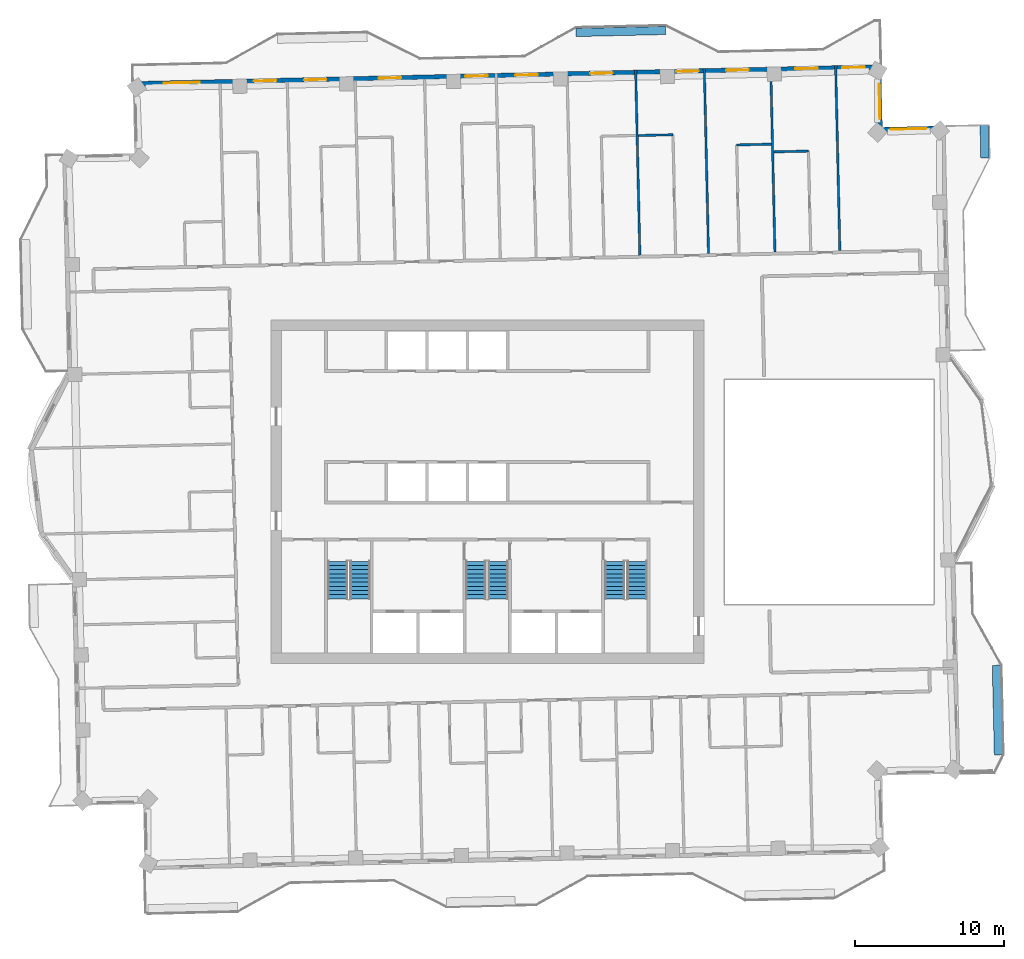
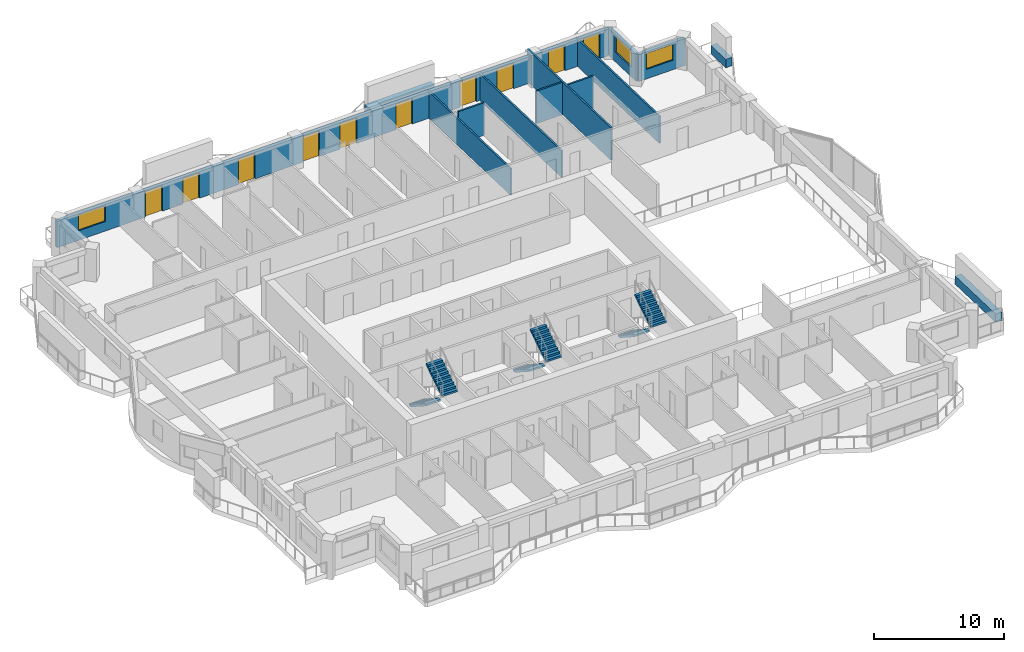
# One storey, part 15 of 19: 13 walls, 10 doors, 6 stair flights, 3 windows, 13 openings, 3 elements without a shape of their own.
"""IFC4 building model written with IfcOpenShell, lengths in metres."""

import ifcopenshell
import ifcopenshell.guid

model = None  # the IFC model being written
_history = None  # IfcOwnerHistory: only IFC2X3 demands one
_inside = {}  # id of a spatial element -> (the spatial element, [elements in it])
_under = {}  # id of a project, library or spatial element -> (it, [spatial elements below it])
_declared = {}  # id of a project -> (the project, [libraries it declares])
_typed = {}  # id of a type object -> (the type object, [elements of that type])
_made_of = {}  # id of a material, layer set ... -> (it, [elements and type objects made of it])


def new_model(schema):
    """Start an empty IFC model of exactly this schema.

    Asked for "IFC4X3", IfcOpenShell would pick the latest addendum, in which some entities
    have other attributes; the version numbers below select the first issue.
    IFC2X3 requires an IfcOwnerHistory on every rooted entity: one is made here for all.
    """
    global model, _history
    if schema == "IFC4X3":
        model = ifcopenshell.file(schema_version=(4, 3, 0, 0))
    else:
        model = ifcopenshell.file(schema=schema)
    _inside.clear()
    _under.clear()
    _declared.clear()
    _typed.clear()
    _made_of.clear()
    _history = None
    if model.schema == "IFC2X3":
        org = make("IfcOrganization", Name="unknown")
        user = make(
            "IfcPersonAndOrganization",
            ThePerson=make("IfcPerson", FamilyName="unknown"),
            TheOrganization=org,
        )
        app = make(
            "IfcApplication",
            ApplicationDeveloper=org,
            Version="unknown",
            ApplicationFullName="unknown",
            ApplicationIdentifier="unknown",
        )
        _history = make(
            "IfcOwnerHistory",
            OwningUser=user,
            OwningApplication=app,
            ChangeAction="ADDED",
            CreationDate=0,
        )
    return model


def make(cls, **values):
    """One entity of the class cls with the attributes given. An attribute that is None is left unset."""
    return model.create_entity(
        cls, **{name: value for name, value in values.items() if value is not None}
    )


def rooted(cls, **values):
    """An entity with a GlobalId (a new one), such as an element, a storey or a relation."""
    return make(cls, GlobalId=ifcopenshell.guid.new(), OwnerHistory=_history, **values)


def si_unit(unit_type, name, prefix=None):
    """IfcSIUnit, for example si_unit("LENGTHUNIT", "METRE", prefix="MILLI")."""
    return make("IfcSIUnit", UnitType=unit_type, Prefix=prefix, Name=name)


def assignment(units):
    """IfcUnitAssignment: the units of a project."""
    return None if units is None else make("IfcUnitAssignment", Units=units)


def point(xyz):
    """IfcCartesianPoint."""
    return None if xyz is None else make("IfcCartesianPoint", Coordinates=xyz)


def direction(xyz):
    """IfcDirection."""
    return None if xyz is None else make("IfcDirection", DirectionRatios=xyz)


def frame(location, z_axis=None, x_axis=None):
    """IfcAxis2Placement3D, a coordinate frame: its origin and axes. An axis left out is left unset."""
    return make(
        "IfcAxis2Placement3D",
        Location=point(location),
        Axis=direction(z_axis),
        RefDirection=direction(x_axis),
    )


def frame_2d(location, x_axis=None):
    """IfcAxis2Placement2D, a coordinate frame in the plane: its origin and x axis."""
    return make(
        "IfcAxis2Placement2D", Location=point(location), RefDirection=direction(x_axis)
    )


def origin():
    """The frame at (0, 0, 0) with its axes left unset."""
    return frame((0.0, 0.0, 0.0))


def place(relative_to, where):
    """IfcLocalPlacement: puts the frame where relative to a parent placement (None: the world)."""
    return make(
        "IfcLocalPlacement", PlacementRelTo=relative_to, RelativePlacement=where
    )


def context(
    kind, dimensions, precision=None, world=None, true_north=None, identifier=None
):
    """IfcGeometricRepresentationContext, for example the 3D "Model" context."""
    return make(
        "IfcGeometricRepresentationContext",
        ContextIdentifier=identifier,
        ContextType=kind,
        CoordinateSpaceDimension=dimensions,
        Precision=precision,
        WorldCoordinateSystem=world,
        TrueNorth=true_north,
    )


def subcontext(parent, identifier, kind, view, scale=None):
    """IfcGeometricRepresentationSubContext, for example "Body" below "Model"."""
    return make(
        "IfcGeometricRepresentationSubContext",
        ContextIdentifier=identifier,
        ContextType=kind,
        ParentContext=parent,
        TargetScale=scale,
        TargetView=view,
    )


def project(units=None, contexts=None):
    """IfcProject with its units and contexts."""
    return rooted(
        "IfcProject",
        Name="project",
        RepresentationContexts=contexts,
        UnitsInContext=assignment(units),
    )


def spatial(cls, under=None, at=None, **own):
    """A site, building, storey or space (cls), placed at a placement, below another one or the project."""
    s = rooted(cls, ObjectPlacement=at, **own)
    if under is not None:
        _under.setdefault(under.id(), (under, []))[1].append(s)
    return s


def polyline(points):
    """IfcPolyline through the points."""
    return make("IfcPolyline", Points=[point(p) for p in points])


def profile(cls, at=None, kind="AREA", **sizes):
    """A parametric profile (cls). Its sizes go by their IFC names, for example OverallWidth=200.0."""
    return make(cls, ProfileType=kind, Position=at, **sizes)


def rectangle(**sizes):
    """IfcRectangleProfileDef."""
    return profile("IfcRectangleProfileDef", **sizes)


def outline(outer, holes=None, kind="AREA"):
    """IfcArbitraryClosedProfileDef: a profile drawn as a closed curve; with holes, ...WithVoids."""
    if holes is None:
        return make("IfcArbitraryClosedProfileDef", ProfileType=kind, OuterCurve=outer)
    return make(
        "IfcArbitraryProfileDefWithVoids",
        ProfileType=kind,
        OuterCurve=outer,
        InnerCurves=holes,
    )


def extrude(swept, where, along, depth):
    """IfcExtrudedAreaSolid: the profile swept, set in the frame where, extruded along a direction by depth."""
    return make(
        "IfcExtrudedAreaSolid",
        SweptArea=swept,
        Position=where,
        ExtrudedDirection=direction(along),
        Depth=depth,
    )


def shape(context_of_items, identifier, shape_type, items):
    """IfcShapeRepresentation: the items that make up one representation, for example the "Body"."""
    return make(
        "IfcShapeRepresentation",
        ContextOfItems=context_of_items,
        RepresentationIdentifier=identifier,
        RepresentationType=shape_type,
        Items=items,
    )


def material(Name=None, Category=None):
    """IfcMaterial."""
    return make("IfcMaterial", Name=Name, Category=Category)


def layer(
    of_material, thickness, ventilated=None, Name=None, Category=None, Priority=None
):
    """IfcMaterialLayer: one layer of a wall or slab, of a material (None: an air gap)."""
    return make(
        "IfcMaterialLayer",
        Material=of_material,
        LayerThickness=thickness,
        IsVentilated=ventilated,
        Name=Name,
        Category=Category,
        Priority=Priority,
    )


def layer_set(layers, Name=None):
    """IfcMaterialLayerSet."""
    return make("IfcMaterialLayerSet", MaterialLayers=layers, LayerSetName=Name)


def made_of(thing, what):
    """Note that an element or type object is made of a material, layer set ...; save() writes the relation."""
    if what is not None:
        _made_of.setdefault(what.id(), (what, []))[1].append(thing)
    return thing


def type_object(cls, material=None, **own):
    """A type object (cls), such as IfcWallType, which elements share."""
    return made_of(rooted(cls, **own), material)


def element(
    cls,
    number,
    at=None,
    inside=None,
    cuts=None,
    type_object=None,
    material=None,
    context=None,
    identifier="Body",
    shape_type=None,
    held_by="IfcProductDefinitionShape",
    body=None,
    shapes=None,
    **own,
):
    """One element of the class cls, such as IfcWall. Its Tag is "e" and its number.

    at: its placement. inside: the storey or other place that contains it. cuts: it is an
    opening in that element (IfcRelVoidsElement). A single representation is given by context,
    identifier, shape_type and body (its items); several are given by shapes. held_by: the class
    of the entity that holds the representations. save() writes the other relations.
    """
    e = rooted(cls, Tag="e%d" % number, ObjectPlacement=at, **own)
    if body is not None:
        shapes = [shape(context, identifier, shape_type, body)]
    if shapes is not None:
        e.Representation = make(held_by, Representations=shapes)
    if inside is not None:
        _inside.setdefault(inside.id(), (inside, []))[1].append(e)
    if cuts is not None:
        rooted(
            "IfcRelVoidsElement", RelatingBuildingElement=cuts, RelatedOpeningElement=e
        )
    if type_object is not None:
        _typed.setdefault(type_object.id(), (type_object, []))[1].append(e)
    return made_of(e, material)


def fill(opening, filler):
    """IfcRelFillsElement: the door or window that sits in an opening."""
    return rooted(
        "IfcRelFillsElement",
        RelatingOpeningElement=opening,
        RelatedBuildingElement=filler,
    )


def aggregate(whole, parts):
    """IfcRelAggregates: a whole, such as a stair, and the parts it consists of."""
    return rooted("IfcRelAggregates", RelatingObject=whole, RelatedObjects=parts)


def save(model, path):
    """Write the relations noted so far, then the file.

    IfcRelAggregates (storeys below a building ...), IfcRelContainedInSpatialStructure (elements
    in a storey), IfcRelDefinesByType, IfcRelAssociatesMaterial and IfcRelDeclares: one each for
    every whole, place, type object, material and project.
    """
    for whole, parts in _under.values():
        aggregate(whole, parts)
    for where, things in _inside.values():
        rooted(
            "IfcRelContainedInSpatialStructure",
            RelatedElements=things,
            RelatingStructure=where,
        )
    for kind, things in _typed.values():
        rooted("IfcRelDefinesByType", RelatedObjects=things, RelatingType=kind)
    for what, things in _made_of.values():
        rooted("IfcRelAssociatesMaterial", RelatedObjects=things, RelatingMaterial=what)
    for by, libraries in _declared.values():
        rooted("IfcRelDeclares", RelatingContext=by, RelatedDefinitions=libraries)
    model.write(path)


model = new_model("IFC4")

# Units and contexts
model_context = context("Model", 3, precision=1e-05, world=origin(), true_north=direction((0.0, 1.0)))
body_context = subcontext(model_context, "Body", "Model", "MODEL_VIEW")
ifc_project = project(units=[si_unit("LENGTHUNIT", "METRE"), si_unit("AREAUNIT", "SQUARE_METRE"), si_unit("VOLUMEUNIT", "CUBIC_METRE"), si_unit("PLANEANGLEUNIT", "RADIAN"), si_unit("MASSUNIT", "GRAM", prefix="KILO")], contexts=[model_context])

# Site, building, storey
site_placement = place(None, origin())
site = spatial("IfcSite", under=ifc_project, at=site_placement, CompositionType="ELEMENT")
building_placement = place(site_placement, origin())
building = spatial("IfcBuilding", under=site, at=building_placement, Name="Mangrove Gate Tower", CompositionType="ELEMENT")
storey_placement = place(building_placement, frame((0.0, 0.0, 283.5)))
storey = spatial("IfcBuildingStorey", under=building, at=storey_placement, Name="L72", CompositionType="ELEMENT", Elevation=283.5)

# Wall, opening, window
ifc_material_1 = material(Name="Limestone", Category="masonry")
ifc_layer_1 = layer(ifc_material_1, 0.0400390625, Name="Limestone cladding")
ifc_material_2 = material(Name="Ventilated air gap")
ifc_layer_2 = layer(ifc_material_2, 0.0400390625, Name="Ventilated cavity")
ifc_material_3 = material(Name="Mineral wool insulation")
ifc_layer_3 = layer(ifc_material_3, 0.06005859375, Name="Insulation")
ifc_material_4 = material(Name="Breather membrane")
ifc_layer_4 = layer(ifc_material_4, 0.001953125, Name="Breather membrane")
ifc_material_5 = material(Name="Concrete C20/25 blockwork", Category="masonry")
ifc_layer_5 = layer(ifc_material_5, 0.14990234375, Name="Blockwork backing wall")
ifc_material_6 = material(Name="Gypsum plaster")
ifc_layer_6 = layer(ifc_material_6, 0.008056640625, Name="Internal plaster")
ifc_layer_set_1 = layer_set([ifc_layer_1, ifc_layer_2, ifc_layer_3, ifc_layer_4, ifc_layer_5, ifc_layer_6], Name="External wall 300 limestone cladding")
wall_type_1 = type_object("IfcWallType", Name="External wall 300 limestone cladding", PredefinedType="SOLIDWALL", material=ifc_layer_set_1)
wall_1_placement = place(storey_placement, frame((30.510009765625, 24.362060546875, 0.0), z_axis=(0.0, 0.0, 1.0), x_axis=(-0.999739037152, -0.022844202663, 0.0)))
wall_1 = element("IfcWall", 1, at=wall_1_placement, inside=storey, type_object=wall_type_1, Name="WALL-L72-N3", PredefinedType="SOLIDWALL", context=body_context, shape_type="SweptSolid", body=[
    extrude(rectangle(XDim=4.199951171875, YDim=0.300048828125, at=frame_2d((2.10009765625, 0.0))), origin(), (0.0, 0.0, 1.0), 2.550048828125),
])
opening_1_placement = place(wall_1_placement, frame((1.10009765625, 0.0, 0.89990234375)))
opening_1 = element("IfcOpeningElement", 2, at=opening_1_placement, cuts=wall_1, Name="Opening W2", PredefinedType="OPENING", context=body_context, shape_type="SweptSolid", body=[
    extrude(rectangle(XDim=2.39990234375, YDim=1.5, at=frame_2d((1.199951171875, 0.75))), frame((0.0, 0.159912109375, 0.0), z_axis=(0.0, -1.0, 0.0), x_axis=(1.0, 0.0, 0.0)), (0.0, 0.0, 1.0), 0.320068359375),
])
ifc_material_7 = material(Name="Aluminium frame with double-glazed low-e glass", Category="aluminium")
window_type = type_object("IfcWindowType", Name="Corner room window 2400x1500", PartitioningType="DOUBLE_PANEL_VERTICAL", PredefinedType="WINDOW", material=ifc_material_7)
window_1_placement = place(opening_1_placement, origin())
window_1 = element("IfcWindow", 3, at=window_1_placement, inside=storey, type_object=window_type, Name="WIN-L72-N3-1", OverallHeight=1.5, OverallWidth=2.39990234375, PartitioningType="DOUBLE_PANEL_VERTICAL", PredefinedType="WINDOW", context=body_context, shape_type="SweptSolid", body=[
    extrude(rectangle(XDim=2.39990234375, YDim=1.5, at=frame_2d((1.199951171875, 0.75))), frame((0.0, 0.030029296875, 0.0), z_axis=(0.0, -1.0, 0.0), x_axis=(1.0, 0.0, 0.0)), (0.0, 0.0, 1.0), 0.06005859375),
])
fill(opening_1, window_1)

wall_2_placement = place(storey_placement, frame((26.31103515625, 24.26611328125, 0.0), z_axis=(0.0, 0.0, 1.0), x_axis=(-0.022611811187, 0.999744320311, 0.0)))
wall_2 = element("IfcWall", 4, at=wall_2_placement, inside=storey, type_object=wall_type_1, Name="WALL-L72-E4", PredefinedType="SOLIDWALL", context=body_context, shape_type="SweptSolid", body=[
    extrude(rectangle(XDim=4.199951171875, YDim=0.300048828125, at=frame_2d((2.10009765625, 0.0))), origin(), (0.0, 0.0, 1.0), 2.550048828125),
])
opening_2_placement = place(wall_2_placement, frame((0.68798828125, 0.0, 0.89990234375)))
opening_2 = element("IfcOpeningElement", 5, at=opening_2_placement, cuts=wall_2, Name="Opening W2", PredefinedType="OPENING", context=body_context, shape_type="SweptSolid", body=[
    extrude(rectangle(XDim=2.39990234375, YDim=1.5, at=frame_2d((1.199951171875, 0.75))), frame((0.0, 0.159912109375, 0.0), z_axis=(0.0, -1.0, 0.0), x_axis=(1.0, 0.0, 0.0)), (0.0, 0.0, 1.0), 0.320068359375),
])
window_2_placement = place(opening_2_placement, origin())
window_2 = element("IfcWindow", 6, at=window_2_placement, inside=storey, type_object=window_type, Name="WIN-L72-E4-1", OverallHeight=1.5, OverallWidth=2.39990234375, PartitioningType="DOUBLE_PANEL_VERTICAL", PredefinedType="WINDOW", context=body_context, shape_type="SweptSolid", body=[
    extrude(rectangle(XDim=2.39990234375, YDim=1.5, at=frame_2d((1.199951171875, 0.75))), frame((0.0, 0.030029296875, 0.0), z_axis=(0.0, -1.0, 0.0), x_axis=(1.0, 0.0, 0.0)), (0.0, 0.0, 1.0), 0.06005859375),
])
fill(opening_2, window_2)

# Wall, openings, doors, window
wall_3_placement = place(storey_placement, frame((26.216064453125, 28.465087890625, 0.0), z_axis=(0.0, 0.0, 1.0), x_axis=(-0.999742843677, -0.022677004157, 0.0)))
wall_3 = element("IfcWall", 7, at=wall_3_placement, inside=storey, type_object=wall_type_1, Name="WALL-L72-N5", PredefinedType="SOLIDWALL", context=body_context, shape_type="SweptSolid", body=[
    extrude(rectangle(XDim=49.835693359375, YDim=0.300048828125, at=frame_2d((24.91796875, 0.0))), origin(), (0.0, 0.0, 1.0), 2.5),
])
opening_3_placement = place(wall_3_placement, frame((0.93798828125, 0.0, 0.0)))
opening_3 = element("IfcOpeningElement", 8, at=opening_3_placement, cuts=wall_3, Name="Opening BD1", PredefinedType="OPENING", context=body_context, shape_type="SweptSolid", body=[
    extrude(rectangle(XDim=1.5, YDim=2.39990234375, at=frame_2d((0.75, 1.199951171875))), frame((0.0, 0.159912109375, 0.0), z_axis=(0.0, -1.0, 0.0), x_axis=(1.0, 0.0, 0.0)), (0.0, 0.0, 1.0), 0.320068359375),
])
opening_4_placement = place(wall_3_placement, frame((4.0869140625, 0.0, 0.0)))
opening_4 = element("IfcOpeningElement", 9, at=opening_4_placement, cuts=wall_3, Name="Opening BD1", PredefinedType="OPENING", context=body_context, shape_type="SweptSolid", body=[
    extrude(rectangle(XDim=1.5, YDim=2.39990234375, at=frame_2d((0.75, 1.199951171875))), frame((0.0, 0.159912109375, 0.0), z_axis=(0.0, -1.0, 0.0), x_axis=(1.0, 0.0, 0.0)), (0.0, 0.0, 1.0), 0.320068359375),
])
opening_5_placement = place(wall_3_placement, frame((8.7109375, 0.0, 0.0)))
opening_5 = element("IfcOpeningElement", 10, at=opening_5_placement, cuts=wall_3, Name="Opening BD1", PredefinedType="OPENING", context=body_context, shape_type="SweptSolid", body=[
    extrude(rectangle(XDim=1.5, YDim=2.39990234375, at=frame_2d((0.75, 1.199951171875))), frame((0.0, 0.159912109375, 0.0), z_axis=(0.0, -1.0, 0.0), x_axis=(1.0, 0.0, 0.0)), (0.0, 0.0, 1.0), 0.320068359375),
])
opening_6_placement = place(wall_3_placement, frame((12.06689453125, 0.0, 0.0)))
opening_6 = element("IfcOpeningElement", 11, at=opening_6_placement, cuts=wall_3, Name="Opening BD1", PredefinedType="OPENING", context=body_context, shape_type="SweptSolid", body=[
    extrude(rectangle(XDim=1.5, YDim=2.39990234375, at=frame_2d((0.75, 1.199951171875))), frame((0.0, 0.159912109375, 0.0), z_axis=(0.0, -1.0, 0.0), x_axis=(1.0, 0.0, 0.0)), (0.0, 0.0, 1.0), 0.320068359375),
])
opening_7_placement = place(wall_3_placement, frame((17.8359375, 0.0, 0.0)))
opening_7 = element("IfcOpeningElement", 12, at=opening_7_placement, cuts=wall_3, Name="Opening BD1", PredefinedType="OPENING", context=body_context, shape_type="SweptSolid", body=[
    extrude(rectangle(XDim=1.5, YDim=2.39990234375, at=frame_2d((0.75, 1.199951171875))), frame((0.0, 0.159912109375, 0.0), z_axis=(0.0, -1.0, 0.0), x_axis=(1.0, 0.0, 0.0)), (0.0, 0.0, 1.0), 0.320068359375),
])
opening_8_placement = place(wall_3_placement, frame((22.84912109375, 0.0, 0.0)))
opening_8 = element("IfcOpeningElement", 13, at=opening_8_placement, cuts=wall_3, Name="Opening BD1", PredefinedType="OPENING", context=body_context, shape_type="SweptSolid", body=[
    extrude(rectangle(XDim=1.5, YDim=2.39990234375, at=frame_2d((0.75, 1.199951171875))), frame((0.0, 0.159912109375, 0.0), z_axis=(0.0, -1.0, 0.0), x_axis=(1.0, 0.0, 0.0)), (0.0, 0.0, 1.0), 0.320068359375),
])
opening_9_placement = place(wall_3_placement, frame((26.205078125, 0.0, 0.0)))
opening_9 = element("IfcOpeningElement", 14, at=opening_9_placement, cuts=wall_3, Name="Opening BD1", PredefinedType="OPENING", context=body_context, shape_type="SweptSolid", body=[
    extrude(rectangle(XDim=1.5, YDim=2.39990234375, at=frame_2d((0.75, 1.199951171875))), frame((0.0, 0.159912109375, 0.0), z_axis=(0.0, -1.0, 0.0), x_axis=(1.0, 0.0, 0.0)), (0.0, 0.0, 1.0), 0.320068359375),
])
opening_10_placement = place(wall_3_placement, frame((32.010986328125, 0.0, 0.0)))
opening_10 = element("IfcOpeningElement", 15, at=opening_10_placement, cuts=wall_3, Name="Opening BD1", PredefinedType="OPENING", context=body_context, shape_type="SweptSolid", body=[
    extrude(rectangle(XDim=1.5, YDim=2.39990234375, at=frame_2d((0.75, 1.199951171875))), frame((0.0, 0.159912109375, 0.0), z_axis=(0.0, -1.0, 0.0), x_axis=(1.0, 0.0, 0.0)), (0.0, 0.0, 1.0), 0.320068359375),
])
opening_11_placement = place(wall_3_placement, frame((37.010986328125, 0.0, 0.0)))
opening_11 = element("IfcOpeningElement", 16, at=opening_11_placement, cuts=wall_3, Name="Opening BD1", PredefinedType="OPENING", context=body_context, shape_type="SweptSolid", body=[
    extrude(rectangle(XDim=1.5, YDim=2.39990234375, at=frame_2d((0.75, 1.199951171875))), frame((0.0, 0.159912109375, 0.0), z_axis=(0.0, -1.0, 0.0), x_axis=(1.0, 0.0, 0.0)), (0.0, 0.0, 1.0), 0.320068359375),
])
opening_12_placement = place(wall_3_placement, frame((40.366943359375, 0.0, 0.0)))
opening_12 = element("IfcOpeningElement", 17, at=opening_12_placement, cuts=wall_3, Name="Opening BD1", PredefinedType="OPENING", context=body_context, shape_type="SweptSolid", body=[
    extrude(rectangle(XDim=1.5, YDim=2.39990234375, at=frame_2d((0.75, 1.199951171875))), frame((0.0, 0.159912109375, 0.0), z_axis=(0.0, -1.0, 0.0), x_axis=(1.0, 0.0, 0.0)), (0.0, 0.0, 1.0), 0.320068359375),
])
opening_13_placement = place(wall_3_placement, frame((45.4990234375, 0.0, 0.89990234375)))
opening_13 = element("IfcOpeningElement", 18, at=opening_13_placement, cuts=wall_3, Name="Opening W2", PredefinedType="OPENING", context=body_context, shape_type="SweptSolid", body=[
    extrude(rectangle(XDim=2.39990234375, YDim=1.5, at=frame_2d((1.199951171875, 0.75))), frame((0.0, 0.159912109375, 0.0), z_axis=(0.0, -1.0, 0.0), x_axis=(1.0, 0.0, 0.0)), (0.0, 0.0, 1.0), 0.320068359375),
])
ifc_material_8 = material(Name="Aluminium frame with laminated clear glass", Category="aluminium")
door_type = type_object("IfcDoorType", Name="Balcony sliding door 1500x2400", OperationType="SLIDING_TO_LEFT", PredefinedType="DOOR", material=ifc_material_8)
door_1_placement = place(opening_3_placement, origin())
door_1 = element("IfcDoor", 19, at=door_1_placement, inside=storey, type_object=door_type, Name="DOOR-L72-N5-1", OperationType="SLIDING_TO_LEFT", OverallHeight=2.39990234375, OverallWidth=1.5, PredefinedType="DOOR", context=body_context, shape_type="SweptSolid", body=[
    extrude(rectangle(XDim=1.5, YDim=2.39990234375, at=frame_2d((0.75, 1.199951171875))), frame((0.0, 0.02490234375, 0.0), z_axis=(0.0, -1.0, 0.0), x_axis=(1.0, 0.0, 0.0)), (0.0, 0.0, 1.0), 0.050048828125),
])
fill(opening_3, door_1)
door_2_placement = place(opening_4_placement, origin())
door_2 = element("IfcDoor", 20, at=door_2_placement, inside=storey, type_object=door_type, Name="DOOR-L72-N5-2", OperationType="SLIDING_TO_LEFT", OverallHeight=2.39990234375, OverallWidth=1.5, PredefinedType="DOOR", context=body_context, shape_type="SweptSolid", body=[
    extrude(rectangle(XDim=1.5, YDim=2.39990234375, at=frame_2d((0.75, 1.199951171875))), frame((0.0, 0.02490234375, 0.0), z_axis=(0.0, -1.0, 0.0), x_axis=(1.0, 0.0, 0.0)), (0.0, 0.0, 1.0), 0.050048828125),
])
fill(opening_4, door_2)
door_3_placement = place(opening_5_placement, origin())
door_3 = element("IfcDoor", 21, at=door_3_placement, inside=storey, type_object=door_type, Name="DOOR-L72-N5-3", OperationType="SLIDING_TO_LEFT", OverallHeight=2.39990234375, OverallWidth=1.5, PredefinedType="DOOR", context=body_context, shape_type="SweptSolid", body=[
    extrude(rectangle(XDim=1.5, YDim=2.39990234375, at=frame_2d((0.75, 1.199951171875))), frame((0.0, 0.02490234375, 0.0), z_axis=(0.0, -1.0, 0.0), x_axis=(1.0, 0.0, 0.0)), (0.0, 0.0, 1.0), 0.050048828125),
])
fill(opening_5, door_3)
door_4_placement = place(opening_6_placement, origin())
door_4 = element("IfcDoor", 22, at=door_4_placement, inside=storey, type_object=door_type, Name="DOOR-L72-N5-4", OperationType="SLIDING_TO_LEFT", OverallHeight=2.39990234375, OverallWidth=1.5, PredefinedType="DOOR", context=body_context, shape_type="SweptSolid", body=[
    extrude(rectangle(XDim=1.5, YDim=2.39990234375, at=frame_2d((0.75, 1.199951171875))), frame((0.0, 0.02490234375, 0.0), z_axis=(0.0, -1.0, 0.0), x_axis=(1.0, 0.0, 0.0)), (0.0, 0.0, 1.0), 0.050048828125),
])
fill(opening_6, door_4)
door_5_placement = place(opening_7_placement, origin())
door_5 = element("IfcDoor", 23, at=door_5_placement, inside=storey, type_object=door_type, Name="DOOR-L72-N5-5", OperationType="SLIDING_TO_LEFT", OverallHeight=2.39990234375, OverallWidth=1.5, PredefinedType="DOOR", context=body_context, shape_type="SweptSolid", body=[
    extrude(rectangle(XDim=1.5, YDim=2.39990234375, at=frame_2d((0.75, 1.199951171875))), frame((0.0, 0.02490234375, 0.0), z_axis=(0.0, -1.0, 0.0), x_axis=(1.0, 0.0, 0.0)), (0.0, 0.0, 1.0), 0.050048828125),
])
fill(opening_7, door_5)
door_6_placement = place(opening_8_placement, origin())
door_6 = element("IfcDoor", 24, at=door_6_placement, inside=storey, type_object=door_type, Name="DOOR-L72-N5-6", OperationType="SLIDING_TO_LEFT", OverallHeight=2.39990234375, OverallWidth=1.5, PredefinedType="DOOR", context=body_context, shape_type="SweptSolid", body=[
    extrude(rectangle(XDim=1.5, YDim=2.39990234375, at=frame_2d((0.75, 1.199951171875))), frame((0.0, 0.02490234375, 0.0), z_axis=(0.0, -1.0, 0.0), x_axis=(1.0, 0.0, 0.0)), (0.0, 0.0, 1.0), 0.050048828125),
])
fill(opening_8, door_6)
door_7_placement = place(opening_9_placement, origin())
door_7 = element("IfcDoor", 25, at=door_7_placement, inside=storey, type_object=door_type, Name="DOOR-L72-N5-7", OperationType="SLIDING_TO_LEFT", OverallHeight=2.39990234375, OverallWidth=1.5, PredefinedType="DOOR", context=body_context, shape_type="SweptSolid", body=[
    extrude(rectangle(XDim=1.5, YDim=2.39990234375, at=frame_2d((0.75, 1.199951171875))), frame((0.0, 0.02490234375, 0.0), z_axis=(0.0, -1.0, 0.0), x_axis=(1.0, 0.0, 0.0)), (0.0, 0.0, 1.0), 0.050048828125),
])
fill(opening_9, door_7)
door_8_placement = place(opening_10_placement, origin())
door_8 = element("IfcDoor", 26, at=door_8_placement, inside=storey, type_object=door_type, Name="DOOR-L72-N5-8", OperationType="SLIDING_TO_LEFT", OverallHeight=2.39990234375, OverallWidth=1.5, PredefinedType="DOOR", context=body_context, shape_type="SweptSolid", body=[
    extrude(rectangle(XDim=1.5, YDim=2.39990234375, at=frame_2d((0.75, 1.199951171875))), frame((0.0, 0.02490234375, 0.0), z_axis=(0.0, -1.0, 0.0), x_axis=(1.0, 0.0, 0.0)), (0.0, 0.0, 1.0), 0.050048828125),
])
fill(opening_10, door_8)
door_9_placement = place(opening_11_placement, origin())
door_9 = element("IfcDoor", 27, at=door_9_placement, inside=storey, type_object=door_type, Name="DOOR-L72-N5-9", OperationType="SLIDING_TO_LEFT", OverallHeight=2.39990234375, OverallWidth=1.5, PredefinedType="DOOR", context=body_context, shape_type="SweptSolid", body=[
    extrude(rectangle(XDim=1.5, YDim=2.39990234375, at=frame_2d((0.75, 1.199951171875))), frame((0.0, 0.02490234375, 0.0), z_axis=(0.0, -1.0, 0.0), x_axis=(1.0, 0.0, 0.0)), (0.0, 0.0, 1.0), 0.050048828125),
])
fill(opening_11, door_9)
door_10_placement = place(opening_12_placement, origin())
door_10 = element("IfcDoor", 28, at=door_10_placement, inside=storey, type_object=door_type, Name="DOOR-L72-N5-10", OperationType="SLIDING_TO_LEFT", OverallHeight=2.39990234375, OverallWidth=1.5, PredefinedType="DOOR", context=body_context, shape_type="SweptSolid", body=[
    extrude(rectangle(XDim=1.5, YDim=2.39990234375, at=frame_2d((0.75, 1.199951171875))), frame((0.0, 0.02490234375, 0.0), z_axis=(0.0, -1.0, 0.0), x_axis=(1.0, 0.0, 0.0)), (0.0, 0.0, 1.0), 0.050048828125),
])
fill(opening_12, door_10)
window_3_placement = place(opening_13_placement, origin())
window_3 = element("IfcWindow", 29, at=window_3_placement, inside=storey, type_object=window_type, Name="WIN-L72-N5-11", OverallHeight=1.5, OverallWidth=2.39990234375, PartitioningType="DOUBLE_PANEL_VERTICAL", PredefinedType="WINDOW", context=body_context, shape_type="SweptSolid", body=[
    extrude(rectangle(XDim=2.39990234375, YDim=1.5, at=frame_2d((1.199951171875, 0.75))), frame((0.0, 0.030029296875, 0.0), z_axis=(0.0, -1.0, 0.0), x_axis=(1.0, 0.0, 0.0)), (0.0, 0.0, 1.0), 0.06005859375),
])
fill(opening_13, window_3)

# Walls
ifc_material_9 = material(Name="Gypsum board on steel stud, EI 60", Category="steel")
ifc_layer_7 = layer(ifc_material_9, 0.14990234375)
ifc_layer_set_2 = layer_set([ifc_layer_7], Name="Party wall 150 EI 60")
wall_type_2 = type_object("IfcWallType", Name="Party wall 150 EI 60", PredefinedType="PARTITIONING", material=ifc_layer_set_2)
wall_4_placement = place(storey_placement, frame((10.2099609375, 15.84912109375, 0.0), z_axis=(0.0, 0.0, 1.0), x_axis=(-0.022661475803, 0.999743195783, 0.0)))
element("IfcWall", 30, at=wall_4_placement, inside=storey, type_object=wall_type_2, Name="WALL-L72-071", PredefinedType="PARTITIONING", context=body_context, shape_type="SweptSolid", body=[
    extrude(rectangle(XDim=12.400146484375, YDim=0.14990234375, at=frame_2d((6.2001953125, 0.0))), origin(), (0.0, 0.0, 1.0), 2.5),
])
wall_5_placement = place(storey_placement, frame((14.80908203125, 15.952880859375, 0.0), z_axis=(0.0, 0.0, 1.0), x_axis=(-0.022661029756, 0.999743205894, 0.0)))
element("IfcWall", 31, at=wall_5_placement, inside=storey, type_object=wall_type_2, Name="WALL-L72-073", PredefinedType="PARTITIONING", context=body_context, shape_type="SweptSolid", body=[
    extrude(rectangle(XDim=12.400390625, YDim=0.14990234375, at=frame_2d((6.2001953125, 0.0))), origin(), (0.0, 0.0, 1.0), 2.5),
])
wall_6_placement = place(storey_placement, frame((19.258056640625, 16.053955078125, 0.0), z_axis=(0.0, 0.0, 1.0), x_axis=(-0.022740189192, 0.999741408463, 0.0)))
element("IfcWall", 32, at=wall_6_placement, inside=storey, type_object=wall_type_2, Name="WALL-L72-075", PredefinedType="PARTITIONING", context=body_context, shape_type="SweptSolid", body=[
    extrude(rectangle(XDim=12.400146484375, YDim=0.14990234375, at=frame_2d((6.2001953125, 0.0))), origin(), (0.0, 0.0, 1.0), 3.050048828125),
])
wall_7_placement = place(storey_placement, frame((23.60693359375, 16.153076171875, 0.0), z_axis=(0.0, 0.0, 1.0), x_axis=(-0.022740189192, 0.999741408463, 0.0)))
element("IfcWall", 33, at=wall_7_placement, inside=storey, type_object=wall_type_2, Name="WALL-L72-077", PredefinedType="PARTITIONING", context=body_context, shape_type="SweptSolid", body=[
    extrude(rectangle(XDim=12.400146484375, YDim=0.14990234375, at=frame_2d((6.2001953125, 0.0))), origin(), (0.0, 0.0, 1.0), 2.550048828125),
])
wall_8_placement = place(storey_placement, frame((19.181884765625, 22.77392578125, 0.0), z_axis=(0.0, 0.0, 1.0), x_axis=(0.99974053329, 0.022778632478, 0.0)))
element("IfcWall", 34, at=wall_8_placement, inside=storey, type_object=wall_type_2, Name="WALL-L72-079", PredefinedType="PARTITIONING", context=body_context, shape_type="SweptSolid", body=[
    extrude(rectangle(XDim=2.32568359375, YDim=0.14990234375, at=frame_2d((1.162841796875, 0.0))), origin(), (0.0, 0.0, 1.0), 3.050048828125),
])
for number, where, z_axis, x_axis, name in (
    (35, (16.696044921875, 23.238037109375, 0.0), (0.0, 0.0, 1.0), (0.999740478815, 0.022781023197, 0.0), "WALL-L72-080"),
    (36, (10.10498046875, 23.868896484375, 0.0), (0.0, 0.0, 1.0), (0.999749954681, 0.022361308448, 0.0), "WALL-L72-083"),
):
    element("IfcWall", number, at=place(storey_placement, frame(where, z_axis=z_axis, x_axis=x_axis)), inside=storey, type_object=wall_type_2, Name=name, PredefinedType="PARTITIONING", context=body_context, shape_type="SweptSolid", body=[
        extrude(rectangle(XDim=2.325439453125, YDim=0.14990234375, at=frame_2d((1.16259765625, 0.0))), origin(), (0.0, 0.0, 1.0), 3.050048828125),
    ])
ifc_material_10 = material(Name="Concrete C32/40", Category="concrete")
ifc_layer_8 = layer(ifc_material_10, 0.199951171875, Name="Planter trough wall")
ifc_material_11 = material(Name="Bituminous waterproofing membrane")
ifc_layer_9 = layer(ifc_material_11, 0.0048828125, Name="Waterproofing")
ifc_material_12 = material(Name="Drainage board and gravel")
ifc_layer_10 = layer(ifc_material_12, 0.044921875, Name="Drainage layer")
ifc_material_13 = material(Name="Planting soil")
ifc_layer_11 = layer(ifc_material_13, 0.300048828125, Name="Growing medium")
ifc_layer_set_3 = layer_set([ifc_layer_8, ifc_layer_9, ifc_layer_10, ifc_layer_11], Name="Planter wall 550 C32/40")
wall_type_3 = type_object("IfcWallType", Name="Planter wall 550 C32/40", PredefinedType="USERDEFINED", material=ifc_layer_set_3)
wall_9_placement = place(storey_placement, frame((34.22802734375, -17.614013671875, 0.0), z_axis=(0.0, 0.0, 1.0), x_axis=(-0.022665943652, 0.999743094499, 0.0)))
element("IfcWall", 37, at=wall_9_placement, inside=storey, type_object=wall_type_3, Name="PLANTER L72 E0.1", ObjectType="PLANTER", PredefinedType="USERDEFINED", context=body_context, shape_type="SweptSolid", body=[
    extrude(rectangle(XDim=5.99951171875, YDim=0.550048828125, at=frame_2d((2.999755859375, 0.0))), origin(), (0.0, 0.0, 1.0), 0.800048828125),
])
wall_10_placement = place(storey_placement, frame((33.321044921875, 22.375, 0.0), z_axis=(0.0, 0.0, 1.0), x_axis=(-0.022744087289, 0.999741319789, 0.0)))
element("IfcWall", 38, at=wall_10_placement, inside=storey, type_object=wall_type_3, Name="PLANTER L72 E1.1", ObjectType="PLANTER", PredefinedType="USERDEFINED", context=body_context, shape_type="SweptSolid", body=[
    extrude(rectangle(XDim=2.200439453125, YDim=0.550048828125, at=frame_2d((1.10009765625, 0.0))), origin(), (0.0, 0.0, 1.0), 0.800048828125),
])
wall_11_placement = place(storey_placement, frame((5.93994140625, 30.77099609375, 0.0), z_axis=(0.0, 0.0, 1.0), x_axis=(0.999743178102, 0.022662255828, 0.0)))
element("IfcWall", 39, at=wall_11_placement, inside=storey, type_object=wall_type_3, Name="PLANTER L72 N0.1", ObjectType="PLANTER", PredefinedType="USERDEFINED", context=body_context, shape_type="SweptSolid", body=[
    extrude(rectangle(XDim=6.00048828125, YDim=0.550048828125, at=frame_2d((3.000244140625, 0.0))), origin(), (0.0, 0.0, 1.0), 0.800048828125),
])

# Stair, stair flights
ifc_material_14 = material(Name="Concrete C40/50", Category="concrete")
stair_type = type_object("IfcStairType", Name="Core stair 1350", PredefinedType="HALF_TURN_STAIR", material=ifc_material_14)
stair_1_placement = place(storey_placement, origin())
stair_1 = element("IfcStair", 40, at=stair_1_placement, inside=storey, type_object=stair_type, Name="L72 Stair 1", PredefinedType="HALF_TURN_STAIR")
ifc_material_15 = material(Name="Concrete C40/50", Category="concrete")
stair_flight_type = type_object("IfcStairFlightType", Name="Core stair flight 1350", PredefinedType="STRAIGHT", material=ifc_material_15)
stair_flight_1_placement = place(storey_placement, frame((-10.02490234375, -4.64990234375, 0.0), z_axis=(0.0, 0.0, 1.0), x_axis=(0.0, -1.0, 0.0)))
stair_flight_1 = element("IfcStairFlight", 41, at=stair_flight_1_placement, type_object=stair_flight_type, Name="ST1 flight 1", NumberOfRisers=10, NumberOfTreads=9, PredefinedType="STRAIGHT", RiserHeight=0.18, TreadLength=0.28, context=body_context, shape_type="SweptSolid", body=[
    extrude(outline(polyline([(0.0, 0.0), (0.0, 0.179931640625), (0.280029296875, 0.179931640625), (0.280029296875, 0.360107421875), (0.56005859375, 0.360107421875), (0.56005859375, 0.5400390625), (0.840087890625, 0.5400390625), (0.840087890625, 0.719970703125), (1.1201171875, 0.719970703125), (1.1201171875, 0.89990234375), (1.39990234375, 0.89990234375), (1.39990234375, 1.080078125), (1.679931640625, 1.080078125), (1.679931640625, 1.260009765625), (1.9599609375, 1.260009765625), (1.9599609375, 1.43994140625), (2.239990234375, 1.43994140625), (2.239990234375, 1.6201171875), (2.52001953125, 1.6201171875), (2.52001953125, 1.800048828125), (2.52001953125, 1.44189453125), (0.277099609375, 0.0), (0.0, 0.0)])), frame((0.0, 0.675048828125, 0.0), z_axis=(0.0, -1.0, 0.0), x_axis=(1.0, 0.0, 0.0)), (0.0, 0.0, 1.0), 1.35009765625),
])
stair_flight_2_placement = place(storey_placement, frame((-8.52490234375, -7.169921875, 1.800048828125), z_axis=(0.0, 0.0, 1.0), x_axis=(0.0, 1.0, 0.0)))
stair_flight_2 = element("IfcStairFlight", 42, at=stair_flight_2_placement, type_object=stair_flight_type, Name="ST1 flight 2", NumberOfRisers=10, NumberOfTreads=9, PredefinedType="STRAIGHT", RiserHeight=0.18, TreadLength=0.28, context=body_context, shape_type="SweptSolid", body=[
    extrude(outline(polyline([(0.0, 0.0), (0.0, 0.179931640625), (0.280029296875, 0.179931640625), (0.280029296875, 0.360107421875), (0.56005859375, 0.360107421875), (0.56005859375, 0.5400390625), (0.840087890625, 0.5400390625), (0.840087890625, 0.719970703125), (1.1201171875, 0.719970703125), (1.1201171875, 0.89990234375), (1.39990234375, 0.89990234375), (1.39990234375, 1.080078125), (1.679931640625, 1.080078125), (1.679931640625, 1.260009765625), (1.9599609375, 1.260009765625), (1.9599609375, 1.43994140625), (2.239990234375, 1.43994140625), (2.239990234375, 1.6201171875), (2.52001953125, 1.6201171875), (2.52001953125, 1.800048828125), (2.52001953125, 1.44189453125), (0.277099609375, 0.0), (0.0, 0.0)])), frame((0.0, 0.675048828125, 0.0), z_axis=(0.0, -1.0, 0.0), x_axis=(1.0, 0.0, 0.0)), (0.0, 0.0, 1.0), 1.35009765625),
])
aggregate(stair_1, [stair_flight_1, stair_flight_2])

stair_2_placement = place(storey_placement, origin())
stair_2 = element("IfcStair", 43, at=stair_2_placement, inside=storey, type_object=stair_type, Name="L72 Stair 2", PredefinedType="HALF_TURN_STAIR")
stair_flight_3_placement = place(storey_placement, frame((-0.77490234375, -4.64990234375, 0.0), z_axis=(0.0, 0.0, 1.0), x_axis=(0.0, -1.0, 0.0)))
stair_flight_3 = element("IfcStairFlight", 44, at=stair_flight_3_placement, type_object=stair_flight_type, Name="ST2 flight 1", NumberOfRisers=10, NumberOfTreads=9, PredefinedType="STRAIGHT", RiserHeight=0.18, TreadLength=0.28, context=body_context, shape_type="SweptSolid", body=[
    extrude(outline(polyline([(0.0, 0.0), (0.0, 0.179931640625), (0.280029296875, 0.179931640625), (0.280029296875, 0.360107421875), (0.56005859375, 0.360107421875), (0.56005859375, 0.5400390625), (0.840087890625, 0.5400390625), (0.840087890625, 0.719970703125), (1.1201171875, 0.719970703125), (1.1201171875, 0.89990234375), (1.39990234375, 0.89990234375), (1.39990234375, 1.080078125), (1.679931640625, 1.080078125), (1.679931640625, 1.260009765625), (1.9599609375, 1.260009765625), (1.9599609375, 1.43994140625), (2.239990234375, 1.43994140625), (2.239990234375, 1.6201171875), (2.52001953125, 1.6201171875), (2.52001953125, 1.800048828125), (2.52001953125, 1.44189453125), (0.277099609375, 0.0), (0.0, 0.0)])), frame((0.0, 0.675048828125, 0.0), z_axis=(0.0, -1.0, 0.0), x_axis=(1.0, 0.0, 0.0)), (0.0, 0.0, 1.0), 1.35009765625),
])
stair_flight_4_placement = place(storey_placement, frame((0.72509765625, -7.169921875, 1.800048828125), z_axis=(0.0, 0.0, 1.0), x_axis=(0.0, 1.0, 0.0)))
stair_flight_4 = element("IfcStairFlight", 45, at=stair_flight_4_placement, type_object=stair_flight_type, Name="ST2 flight 2", NumberOfRisers=10, NumberOfTreads=9, PredefinedType="STRAIGHT", RiserHeight=0.18, TreadLength=0.28, context=body_context, shape_type="SweptSolid", body=[
    extrude(outline(polyline([(0.0, 0.0), (0.0, 0.179931640625), (0.280029296875, 0.179931640625), (0.280029296875, 0.360107421875), (0.56005859375, 0.360107421875), (0.56005859375, 0.5400390625), (0.840087890625, 0.5400390625), (0.840087890625, 0.719970703125), (1.1201171875, 0.719970703125), (1.1201171875, 0.89990234375), (1.39990234375, 0.89990234375), (1.39990234375, 1.080078125), (1.679931640625, 1.080078125), (1.679931640625, 1.260009765625), (1.9599609375, 1.260009765625), (1.9599609375, 1.43994140625), (2.239990234375, 1.43994140625), (2.239990234375, 1.6201171875), (2.52001953125, 1.6201171875), (2.52001953125, 1.800048828125), (2.52001953125, 1.44189453125), (0.277099609375, 0.0), (0.0, 0.0)])), frame((0.0, 0.675048828125, 0.0), z_axis=(0.0, -1.0, 0.0), x_axis=(1.0, 0.0, 0.0)), (0.0, 0.0, 1.0), 1.35009765625),
])
aggregate(stair_2, [stair_flight_3, stair_flight_4])

stair_3_placement = place(storey_placement, origin())
stair_3 = element("IfcStair", 46, at=stair_3_placement, inside=storey, type_object=stair_type, Name="L72 Stair 3", PredefinedType="HALF_TURN_STAIR")
stair_flight_5_placement = place(storey_placement, frame((8.52490234375, -4.64990234375, 0.0), z_axis=(0.0, 0.0, 1.0), x_axis=(0.0, -1.0, 0.0)))
stair_flight_5 = element("IfcStairFlight", 47, at=stair_flight_5_placement, type_object=stair_flight_type, Name="ST3 flight 1", NumberOfRisers=10, NumberOfTreads=9, PredefinedType="STRAIGHT", RiserHeight=0.18, TreadLength=0.28, context=body_context, shape_type="SweptSolid", body=[
    extrude(outline(polyline([(0.0, 0.0), (0.0, 0.179931640625), (0.280029296875, 0.179931640625), (0.280029296875, 0.360107421875), (0.56005859375, 0.360107421875), (0.56005859375, 0.5400390625), (0.840087890625, 0.5400390625), (0.840087890625, 0.719970703125), (1.1201171875, 0.719970703125), (1.1201171875, 0.89990234375), (1.39990234375, 0.89990234375), (1.39990234375, 1.080078125), (1.679931640625, 1.080078125), (1.679931640625, 1.260009765625), (1.9599609375, 1.260009765625), (1.9599609375, 1.43994140625), (2.239990234375, 1.43994140625), (2.239990234375, 1.6201171875), (2.52001953125, 1.6201171875), (2.52001953125, 1.800048828125), (2.52001953125, 1.44189453125), (0.277099609375, 0.0), (0.0, 0.0)])), frame((0.0, 0.675048828125, 0.0), z_axis=(0.0, -1.0, 0.0), x_axis=(1.0, 0.0, 0.0)), (0.0, 0.0, 1.0), 1.35009765625),
])
stair_flight_6_placement = place(storey_placement, frame((10.02490234375, -7.169921875, 1.800048828125), z_axis=(0.0, 0.0, 1.0), x_axis=(0.0, 1.0, 0.0)))
stair_flight_6 = element("IfcStairFlight", 48, at=stair_flight_6_placement, type_object=stair_flight_type, Name="ST3 flight 2", NumberOfRisers=10, NumberOfTreads=9, PredefinedType="STRAIGHT", RiserHeight=0.18, TreadLength=0.28, context=body_context, shape_type="SweptSolid", body=[
    extrude(outline(polyline([(0.0, 0.0), (0.0, 0.179931640625), (0.280029296875, 0.179931640625), (0.280029296875, 0.360107421875), (0.56005859375, 0.360107421875), (0.56005859375, 0.5400390625), (0.840087890625, 0.5400390625), (0.840087890625, 0.719970703125), (1.1201171875, 0.719970703125), (1.1201171875, 0.89990234375), (1.39990234375, 0.89990234375), (1.39990234375, 1.080078125), (1.679931640625, 1.080078125), (1.679931640625, 1.260009765625), (1.9599609375, 1.260009765625), (1.9599609375, 1.43994140625), (2.239990234375, 1.43994140625), (2.239990234375, 1.6201171875), (2.52001953125, 1.6201171875), (2.52001953125, 1.800048828125), (2.52001953125, 1.44189453125), (0.277099609375, 0.0), (0.0, 0.0)])), frame((0.0, 0.675048828125, 0.0), z_axis=(0.0, -1.0, 0.0), x_axis=(1.0, 0.0, 0.0)), (0.0, 0.0, 1.0), 1.35009765625),
])
aggregate(stair_3, [stair_flight_5, stair_flight_6])

save(model, "model.ifc")
